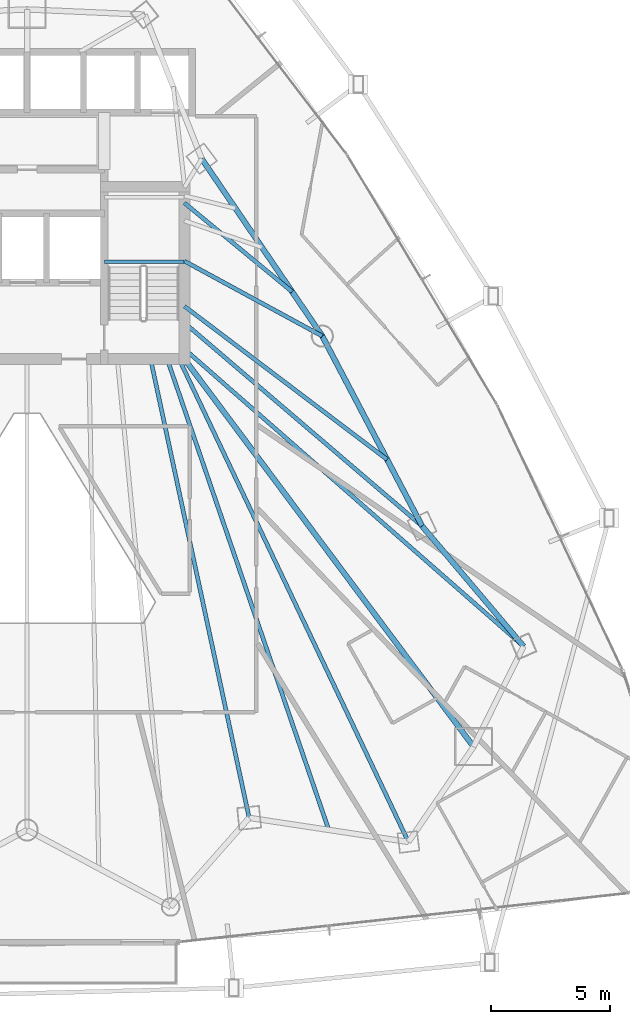
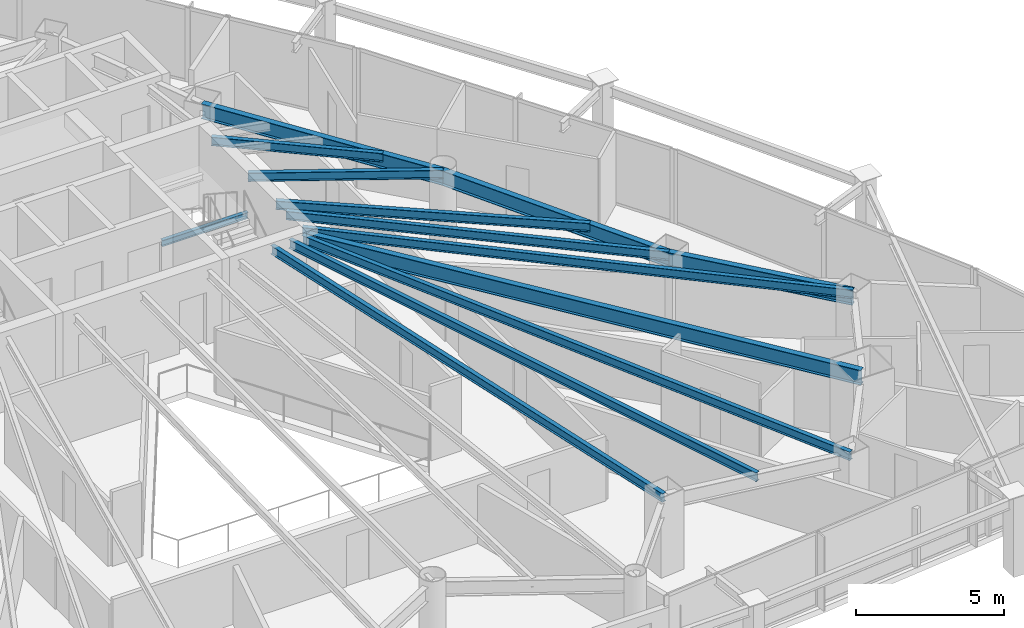
# One storey, part 17 of 34: 13 beams.
"""IFC4 building model written with IfcOpenShell, lengths in metres."""

from ifc_helpers import new_model, si_unit, direction, frame, origin, origin_2d, place, context, subcontext, project, spatial, i_section, extrude, material, material_profile, profile_set, type_object, element, save


model = new_model("IFC4")

# Units and contexts
model_context = context("Model", 3, precision=1e-05, world=origin(), true_north=direction((0.0, 1.0)))
body_context = subcontext(model_context, "Body", "Model", "MODEL_VIEW")
ifc_project = project(units=[si_unit("LENGTHUNIT", "METRE"), si_unit("AREAUNIT", "SQUARE_METRE"), si_unit("VOLUMEUNIT", "CUBIC_METRE"), si_unit("PLANEANGLEUNIT", "RADIAN"), si_unit("MASSUNIT", "GRAM", prefix="KILO")], contexts=[model_context])

# Site, building, storey
site_placement = place(None, origin())
site = spatial("IfcSite", under=ifc_project, at=site_placement, CompositionType="ELEMENT")
building_placement = place(site_placement, origin())
building = spatial("IfcBuilding", under=site, at=building_placement, Name="Orvanel Arch Residences", CompositionType="ELEMENT")
storey_placement = place(building_placement, frame((0.0, 0.0, 80.75)))
storey = spatial("IfcBuildingStorey", under=building, at=storey_placement, Name="L22", CompositionType="ELEMENT", Elevation=80.75)

# Beams
ifc_material = material(Name="Structural steel AS/NZS 3679.1 Grade 300 (300 MPa)", Category="steel")
ifc_material_profile_1 = material_profile(ifc_material, i_section(OverallWidth=0.22900390625, OverallDepth=0.612060546875, WebThickness=0.011962890625, FlangeThickness=0.01953125, at=origin_2d()), Name="610UB125")
ifc_profile_set_1 = profile_set([ifc_material_profile_1], Name="Structural steel AS/NZS 3679.1 Grade 300 (300 MPa)")
beam_type_1 = type_object("IfcBeamType", Name="BG-610UB", PredefinedType="BEAM", material=ifc_profile_set_1)
beam_1_placement = place(storey_placement, frame((39.625, 26.675048828125, 2.75390625), z_axis=(0.597893733742, -0.801575375839, 0.0), x_axis=(0.801575375839, 0.597893733742, 0.0)))
element("IfcBeam", 1, at=beam_1_placement, inside=storey, type_object=beam_type_1, Name="L22 South-East Radial Girder", PredefinedType="BEAM", context=body_context, shape_type="SweptSolid", body=[
    extrude(i_section(OverallWidth=0.22900390625, OverallDepth=0.612060546875, WebThickness=0.011962890625, FlangeThickness=0.01953125, at=origin_2d()), origin(), (0.0, 0.0, 1.0), 20.36474609375),
])
ifc_material_profile_2 = material_profile(ifc_material, i_section(OverallWidth=0.14599609375, OverallDepth=0.251953125, WebThickness=0.006103515625, FlangeThickness=0.008544921875, at=origin_2d()), Name="250UB31.4")
ifc_profile_set_2 = profile_set([ifc_material_profile_2], Name="Structural steel AS/NZS 3679.1 Grade 300 (300 MPa)")
beam_type_2 = type_object("IfcBeamType", Name="BJ-250UB", PredefinedType="JOIST", material=ifc_profile_set_2)
beam_2_placement = place(storey_placement, frame((36.25, 30.780029296875, 1.323974609375), z_axis=(1.0, 0.0, 0.0), x_axis=(0.0, 1.0, 0.0)))
element("IfcBeam", 2, at=beam_2_placement, inside=storey, type_object=beam_type_2, Name="L22 ST-2 Half-Landing Support Beam 1.1", PredefinedType="JOIST", context=body_context, shape_type="SweptSolid", body=[
    extrude(i_section(OverallWidth=0.14599609375, OverallDepth=0.251953125, WebThickness=0.006103515625, FlangeThickness=0.008544921875, at=origin_2d()), origin(), (0.0, 0.0, 1.0), 3.35009765625),
])
ifc_material_profile_3 = material_profile(ifc_material, i_section(OverallWidth=0.1708984375, OverallDepth=0.35595703125, WebThickness=0.00732421875, FlangeThickness=0.011474609375, at=origin_2d()), Name="360UB50.7")
ifc_profile_set_3 = profile_set([ifc_material_profile_3], Name="Structural steel AS/NZS 3679.1 Grade 300 (300 MPa)")
beam_type_3 = type_object("IfcBeamType", Name="BJ-360UB", PredefinedType="JOIST", material=ifc_profile_set_3)
beam_3_placement = place(storey_placement, frame((39.625, 30.800048828125, 2.882080078125), z_axis=(0.878399029914, -0.477927969726, 0.0), x_axis=(0.477927969726, 0.878399029914, 0.0)))
element("IfcBeam", 3, at=beam_3_placement, inside=storey, type_object=beam_type_3, Name="L22 NE Wing Floor Joist", PredefinedType="JOIST", context=body_context, shape_type="SweptSolid", body=[
    extrude(i_section(OverallWidth=0.1708984375, OverallDepth=0.35595703125, WebThickness=0.00732421875, FlangeThickness=0.011474609375, at=origin_2d()), origin(), (0.0, 0.0, 1.0), 6.609619140625),
])
beam_4_placement = place(storey_placement, frame((39.625, 28.199951171875, 2.882080078125), z_axis=(0.760024297953, -0.649894658018, 0.0), x_axis=(0.649894658018, 0.760024297953, 0.0)))
element("IfcBeam", 4, at=beam_4_placement, inside=storey, type_object=beam_type_3, Name="L22 E Wing Floor Joist", PredefinedType="JOIST", context=body_context, shape_type="SweptSolid", body=[
    extrude(i_section(OverallWidth=0.1708984375, OverallDepth=0.35595703125, WebThickness=0.00732421875, FlangeThickness=0.011474609375, at=origin_2d()), origin(), (0.0, 0.0, 1.0), 13.16796875),
])
beam_5_placement = place(storey_placement, frame((38.199951171875, 26.675048828125, 2.882080078125), z_axis=(0.210066515515, -0.977687096703, 0.0), x_axis=(0.977687096703, 0.210066515515, 0.0)))
element("IfcBeam", 5, at=beam_5_placement, inside=storey, type_object=beam_type_3, Name="L22 SE Wing Floor Joist", PredefinedType="JOIST", context=body_context, shape_type="SweptSolid", body=[
    extrude(i_section(OverallWidth=0.1708984375, OverallDepth=0.35595703125, WebThickness=0.00732421875, FlangeThickness=0.011474609375, at=origin_2d()), origin(), (0.0, 0.0, 1.0), 19.760986328125),
])
beam_6_placement = place(storey_placement, frame((39.625, 27.10009765625, 2.882080078125), z_axis=(0.751924114057, -0.659249669472, 0.0), x_axis=(0.659249669472, 0.751924114057, 0.0)))
element("IfcBeam", 6, at=beam_6_placement, inside=storey, type_object=beam_type_3, Name="L22 ME Wing Floor Joist", PredefinedType="JOIST", context=body_context, shape_type="SweptSolid", body=[
    extrude(i_section(OverallWidth=0.1708984375, OverallDepth=0.35595703125, WebThickness=0.00732421875, FlangeThickness=0.011474609375, at=origin_2d()), origin(), (0.0, 0.0, 1.0), 18.9912109375),
])
beam_7_placement = place(storey_placement, frame((39.39990234375, 26.675048828125, 2.882080078125), z_axis=(0.429042657795, -0.903284228686, 0.0), x_axis=(0.903284228686, 0.429042657795, 0.0)))
element("IfcBeam", 7, at=beam_7_placement, inside=storey, type_object=beam_type_3, Name="L22 MSE Wing Floor Joist", PredefinedType="JOIST", context=body_context, shape_type="SweptSolid", body=[
    extrude(i_section(OverallWidth=0.1708984375, OverallDepth=0.35595703125, WebThickness=0.00732421875, FlangeThickness=0.011474609375, at=origin_2d()), origin(), (0.0, 0.0, 1.0), 22.513427734375),
])
beam_8_placement = place(storey_placement, frame((39.625, 33.25, 2.882080078125), z_axis=(0.771468562814, -0.636267441089, 0.0), x_axis=(0.636267441089, 0.771468562814, 0.0)))
element("IfcBeam", 8, at=beam_8_placement, inside=storey, type_object=beam_type_3, Name="L22 LE Wing Floor Joist", PredefinedType="JOIST", context=body_context, shape_type="SweptSolid", body=[
    extrude(i_section(OverallWidth=0.1708984375, OverallDepth=0.35595703125, WebThickness=0.00732421875, FlangeThickness=0.011474609375, at=origin_2d()), origin(), (0.0, 0.0, 1.0), 5.879638671875),
])
beam_9_placement = place(storey_placement, frame((39.625, 28.89990234375, 2.882080078125), z_axis=(0.797519083104, -0.60329371958, 0.0), x_axis=(0.60329371958, 0.797519083104, 0.0)))
element("IfcBeam", 9, at=beam_9_placement, inside=storey, type_object=beam_type_3, Name="L22 CTE Wing Floor Joist", PredefinedType="JOIST", context=body_context, shape_type="SweptSolid", body=[
    extrude(i_section(OverallWidth=0.1708984375, OverallDepth=0.35595703125, WebThickness=0.00732421875, FlangeThickness=0.011474609375, at=origin_2d()), origin(), (0.0, 0.0, 1.0), 10.70458984375),
])
beam_10_placement = place(storey_placement, frame((38.89990234375, 26.675048828125, 2.882080078125), z_axis=(0.324621456495, -0.945844019901, 0.0), x_axis=(0.945844019901, 0.324621456495, 0.0)))
element("IfcBeam", 10, at=beam_10_placement, inside=storey, type_object=beam_type_3, Name="L22 JADD2 Wing Floor Joist", PredefinedType="JOIST", context=body_context, shape_type="SweptSolid", body=[
    extrude(i_section(OverallWidth=0.1708984375, OverallDepth=0.35595703125, WebThickness=0.00732421875, FlangeThickness=0.011474609375, at=origin_2d()), origin(), (0.0, 0.0, 1.0), 20.96337890625),
])
ifc_material_profile_4 = material_profile(ifc_material, i_section(OverallWidth=0.22900390625, OverallDepth=0.612060546875, WebThickness=0.011962890625, FlangeThickness=0.01953125, at=origin_2d()), Name="610UB125")
ifc_profile_set_4 = profile_set([ifc_material_profile_4], Name="Structural steel AS/NZS 3679.1 Grade 300 (300 MPa)")
beam_type_4 = type_object("IfcBeamType", Name="SP-610UB", PredefinedType="SPANDREL", material=ifc_profile_set_4)
beam_11_placement = place(storey_placement, frame((53.905029296875, 14.580078125, 2.75390625), z_axis=(-0.644950329775, 0.764224490659, 0.0), x_axis=(-0.764224490659, -0.644950329775, 0.0)))
element("IfcBeam", 11, at=beam_11_placement, inside=storey, type_object=beam_type_4, Name="L22 Perimeter Spandrel Beam 12", PredefinedType="SPANDREL", context=body_context, shape_type="SweptSolid", body=[
    extrude(i_section(OverallWidth=0.22900390625, OverallDepth=0.612060546875, WebThickness=0.011962890625, FlangeThickness=0.01953125, at=origin_2d()), origin(), (0.0, 0.0, 1.0), 6.623779296875),
])
beam_12_placement = place(storey_placement, frame((49.633056640625, 19.64208984375, 2.75390625), z_axis=(-0.465064762793, 0.885276660942, 0.0), x_axis=(-0.885276660942, -0.465064762793, 0.0)))
element("IfcBeam", 12, at=beam_12_placement, inside=storey, type_object=beam_type_4, Name="L22 Perimeter Spandrel Beam 13", PredefinedType="SPANDREL", context=body_context, shape_type="SweptSolid", body=[
    extrude(i_section(OverallWidth=0.22900390625, OverallDepth=0.612060546875, WebThickness=0.011962890625, FlangeThickness=0.01953125, at=origin_2d()), origin(), (0.0, 0.0, 1.0), 9.03564453125),
])
beam_13_placement = place(storey_placement, frame((45.430908203125, 27.64111328125, 2.75390625), z_axis=(-0.562154793153, 0.827032035978, 0.0), x_axis=(-0.827032035978, -0.562154793153, 0.0)))
element("IfcBeam", 13, at=beam_13_placement, inside=storey, type_object=beam_type_4, Name="L22 Perimeter Spandrel Beam 14", PredefinedType="SPANDREL", context=body_context, shape_type="SweptSolid", body=[
    extrude(i_section(OverallWidth=0.22900390625, OverallDepth=0.612060546875, WebThickness=0.011962890625, FlangeThickness=0.01953125, at=origin_2d()), origin(), (0.0, 0.0, 1.0), 9.03466796875),
])

save(model, "model.ifc")
